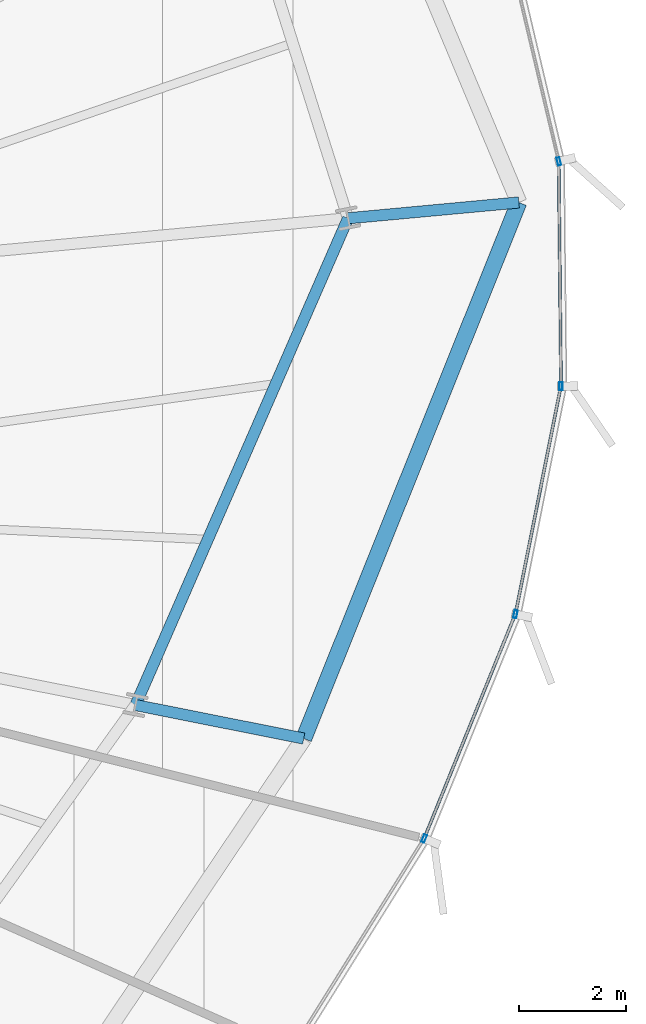
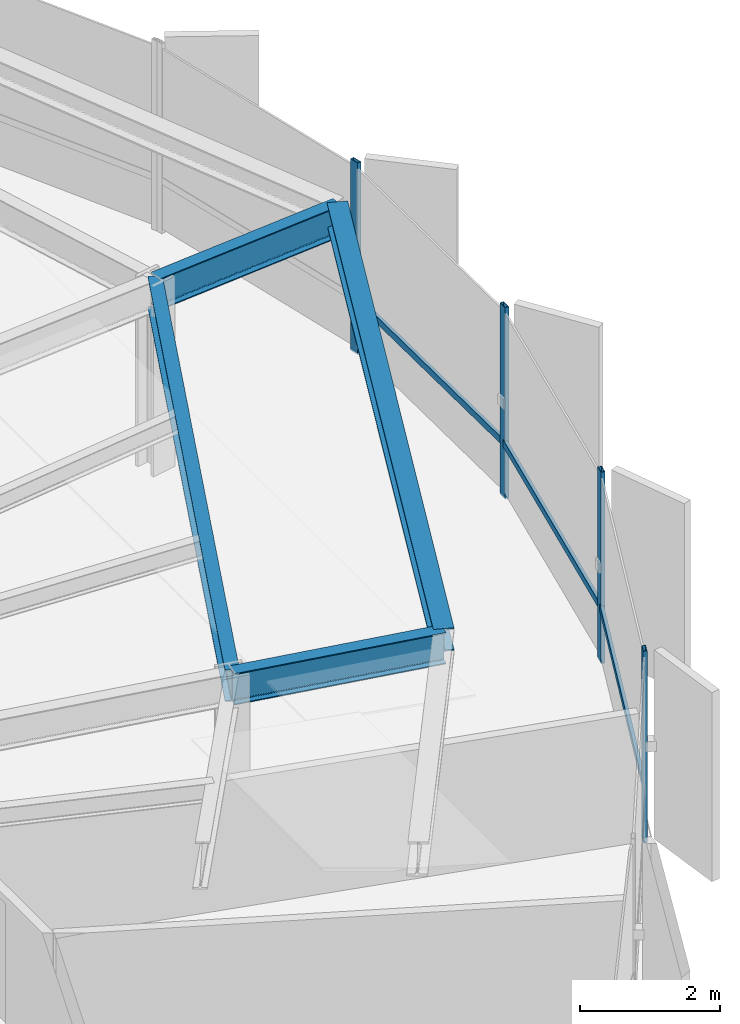
# One storey, part 16 of 33: 7 members, 4 beams, 1 element without a shape of its own.
"""IFC4 building model written with IfcOpenShell, lengths in metres."""

from ifc_helpers import new_model, si_unit, direction, frame, origin, origin_2d, place, context, subcontext, project, spatial, hollow_rectangle, i_section, extrude, source, transform, mapped, material, layer, layer_set, material_profile, profile_set, type_object, element, aggregate, save


model = new_model("IFC4")

# Units and contexts
model_context = context("Model", 3, precision=1e-05, world=origin(), true_north=direction((0.0, 1.0)))
body_context = subcontext(model_context, "Body", "Model", "MODEL_VIEW")
ifc_project = project(units=[si_unit("LENGTHUNIT", "METRE"), si_unit("AREAUNIT", "SQUARE_METRE"), si_unit("VOLUMEUNIT", "CUBIC_METRE"), si_unit("PLANEANGLEUNIT", "RADIAN"), si_unit("MASSUNIT", "GRAM", prefix="KILO"), si_unit("THERMODYNAMICTEMPERATUREUNIT", "KELVIN")], contexts=[model_context])

# Site, building, storey
site_placement = place(None, origin())
site = spatial("IfcSite", under=ifc_project, at=site_placement, CompositionType="ELEMENT")
building_placement = place(site_placement, origin())
building = spatial("IfcBuilding", under=site, at=building_placement, Name="Kethvar Cultural Tower", CompositionType="ELEMENT")
storey_placement = place(building_placement, frame((0.0, 0.0, 114.39990234375)))
storey = spatial("IfcBuildingStorey", under=building, at=storey_placement, Name="L28", CompositionType="ELEMENT", Elevation=114.39990234375)

# Beams
ifc_material_1 = material(Name="Steel S355J2", Category="steel")
ifc_material_profile_1 = material_profile(ifc_material_1, i_section(OverallWidth=0.2099609375, OverallDepth=0.550048828125, WebThickness=0.010986328125, FlangeThickness=0.01708984375, FilletRadius=0.02392578125, at=origin_2d()), Name="Steel S355J2 — IPE550")
ifc_profile_set_1 = profile_set([ifc_material_profile_1], Name="Steel S355J2 — IPE550")
beam_type_1 = type_object("IfcBeamType", Name="BM-IPE550", PredefinedType="BEAM", material=ifc_profile_set_1)
shared_shape_1 = source(origin(), body_context, "Body", "SweptSolid", [
    extrude(i_section(OverallWidth=0.2099609375, OverallDepth=0.550048828125, WebThickness=0.010986328125, FlangeThickness=0.01708984375, FilletRadius=0.02392578125, at=origin_2d()), origin(), (0.0, 0.0, 1.0), 3.199951171875),
])
for number, where, z_axis, x_axis, name in (
    (1, (71.6025390625, 32.7333984375, 3.072998046875), (0.995729641608, 0.092317283453, 0.0), (-0.092317283453, 0.995729641608, 0.0), "L28 Perimeter Cantilever Beam RC-01"),
    (2, (67.638671875, 23.65478515625, 3.072998046875), (0.980785550224, -0.195088965533, 0.0), (0.195088965533, 0.980785550224, 0.0), "L28 Perimeter Cantilever Beam RC-16"),
):
    element("IfcBeam", number, at=place(storey_placement, frame(where, z_axis=z_axis, x_axis=x_axis)), inside=storey, type_object=beam_type_1, Name=name, PredefinedType="BEAM", context=body_context, shape_type="MappedRepresentation", body=[
        mapped(shared_shape_1, transform((0.0, 0.0, 0.0), scale=1.0)),
    ])
shared_shape_2 = source(origin(), body_context, "Body", "SweptSolid", [
    extrude(i_section(OverallWidth=0.2099609375, OverallDepth=0.550048828125, WebThickness=0.010986328125, FlangeThickness=0.01708984375, FilletRadius=0.02392578125, at=origin_2d()), origin(), (0.0, 0.0, 1.0), 9.90625),
])
beam_1_placement = place(storey_placement, frame((67.638671875, 23.65478515625, 3.072998046875), z_axis=(0.400138679026, 0.916454602011, 0.0), x_axis=(-0.916454602011, 0.400138679026, 0.0)))
element("IfcBeam", 3, at=beam_1_placement, inside=storey, type_object=beam_type_1, Name="L28 Column Ring Tie Beam CR-16", PredefinedType="BEAM", context=body_context, shape_type="MappedRepresentation", body=[
    mapped(shared_shape_2, transform((0.0, 0.0, 0.0), scale=1.0)),
])
ifc_material_profile_2 = material_profile(ifc_material_1, i_section(OverallWidth=0.300048828125, OverallDepth=0.39990234375, WebThickness=0.013427734375, FlangeThickness=0.02392578125, FilletRadius=0.027099609375, at=origin_2d()), Name="Steel S355J2 — HEB400")
ifc_profile_set_2 = profile_set([ifc_material_profile_2], Name="Steel S355J2 — HEB400")
beam_type_2 = type_object("IfcBeamType", Name="BM-SP400", PredefinedType="SPANDREL", material=ifc_profile_set_2)
shared_shape_3 = source(origin(), body_context, "Body", "SweptSolid", [
    extrude(i_section(OverallWidth=0.300048828125, OverallDepth=0.39990234375, WebThickness=0.013427734375, FlangeThickness=0.02392578125, FilletRadius=0.027099609375, at=origin_2d()), origin(), (0.0, 0.0, 1.0), 10.773193359375),
])
beam_2_placement = place(storey_placement, frame((70.777099609375, 23.030517578125, 3.148193359375), z_axis=(0.372382905959, 0.928079183771, 0.0), x_axis=(-0.928079183771, 0.372382905959, 0.0)))
element("IfcBeam", 4, at=beam_2_placement, inside=storey, type_object=beam_type_2, Name="L28 Perimeter Spandrel Beam SP-16", PredefinedType="SPANDREL", context=body_context, shape_type="MappedRepresentation", body=[
    mapped(shared_shape_3, transform((0.0, 0.0, 0.0), scale=1.0)),
])

# Curtain wall, members
ifc_material_2 = material(Name="Aluminium 6063-T6", Category="aluminium")
ifc_layer = layer(ifc_material_2, 0.179931640625, Name="Aluminium 6063-T6", Category="aluminium")
ifc_layer_set = layer_set([ifc_layer], Name="Aluminium 6063-T6 (180 mm)")
curtain_wall_type = type_object("IfcCurtainWallType", Name="CW-SYS-03-Z2", PredefinedType="NOTDEFINED", material=ifc_layer_set)
curtain_wall_placement = place(storey_placement, origin())
curtain_wall = element("IfcCurtainWall", 5, at=curtain_wall_placement, inside=storey, type_object=curtain_wall_type, Name="L28 Curtain Wall Run 06", PredefinedType="NOTDEFINED")
ifc_material_profile_3 = material_profile(ifc_material_2, hollow_rectangle(XDim=0.06005859375, YDim=0.14990234375, WallThickness=0.0048828125, at=origin_2d()), Name="Aluminium 6063-T6 — RHS150x60x5")
ifc_profile_set_3 = profile_set([ifc_material_profile_3], Name="Aluminium 6063-T6 — RHS150x60x5")
member_type_1 = type_object("IfcMemberType", Name="CW-SYS-03-Z2-MUL", PredefinedType="MULLION", material=ifc_profile_set_3)
shared_shape_4 = source(origin(), body_context, "Body", "SweptSolid", [
    extrude(hollow_rectangle(XDim=0.06005859375, YDim=0.14990234375, WallThickness=0.0048828125, at=origin_2d()), origin(), (0.0, 0.0, 1.0), 3.35009765625),
])
member_1_placement = place(storey_placement, frame((73.022216796875, 21.16552734375, 0.0), z_axis=(0.0, 0.0, 1.0), x_axis=(-0.926410390813, 0.376515322123, 0.0)))
member_1 = element("IfcMember", 6, at=member_1_placement, type_object=member_type_1, Name="CW-L28-R06 Mullion 3", PredefinedType="MULLION", context=body_context, shape_type="MappedRepresentation", body=[
    mapped(shared_shape_4, transform((0.0, 0.0, 0.0), scale=1.0)),
])
member_2_placement = place(storey_placement, frame((74.724609375, 25.348876953125, 0.0), z_axis=(0.0, 0.0, 1.0), x_axis=(-0.980700062831, 0.195518251741, 0.0)))
member_2 = element("IfcMember", 7, at=member_2_placement, type_object=member_type_1, Name="CW-L28-R06 Mullion 4", PredefinedType="MULLION", context=body_context, shape_type="MappedRepresentation", body=[
    mapped(shared_shape_4, transform((0.0, 0.0, 0.0), scale=1.0)),
])
member_3_placement = place(storey_placement, frame((75.575439453125, 29.603271484375, 0.0), z_axis=(0.0, 0.0, 1.0), x_axis=(-0.99994535198, -0.010454331779, 0.0)))
member_3 = element("IfcMember", 8, at=member_3_placement, type_object=member_type_1, Name="CW-L28-R06 Mullion 5", PredefinedType="MULLION", context=body_context, shape_type="MappedRepresentation", body=[
    mapped(shared_shape_4, transform((0.0, 0.0, 0.0), scale=1.0)),
])
member_4_placement = place(storey_placement, frame((75.534423828125, 33.794189453125, 0.0), z_axis=(0.0, 0.0, 1.0), x_axis=(-0.973202958193, -0.229947824874, 0.0)))
member_4 = element("IfcMember", 9, at=member_4_placement, type_object=member_type_1, Name="CW-L28-R06 Mullion 6", PredefinedType="MULLION", context=body_context, shape_type="MappedRepresentation", body=[
    mapped(shared_shape_4, transform((0.0, 0.0, 0.0), scale=1.0)),
])
ifc_material_profile_4 = material_profile(ifc_material_2, hollow_rectangle(XDim=0.054931640625, YDim=0.1201171875, WallThickness=0.00390625, at=origin_2d()), Name="Aluminium 6063-T6 — RHS120x55x4")
ifc_profile_set_4 = profile_set([ifc_material_profile_4], Name="Aluminium 6063-T6 — RHS120x55x4")
member_type_2 = type_object("IfcMemberType", Name="CW-SYS-03-Z2-TRN", PredefinedType="USERDEFINED", material=ifc_profile_set_4)
shared_shape_5 = source(origin(), body_context, "Body", "SweptSolid", [
    extrude(hollow_rectangle(XDim=0.054931640625, YDim=0.1201171875, WallThickness=0.00390625, at=origin_2d()), origin(), (0.0, 0.0, 1.0), 4.45166015625),
])
member_5_placement = place(storey_placement, frame((73.03857421875, 21.20556640625, 0.9501953125), z_axis=(0.37650061387, 0.926416368463, 0.0), x_axis=(-0.926416368463, 0.37650061387, 0.0)))
member_5 = element("IfcMember", 10, at=member_5_placement, type_object=member_type_2, Name="CW-L28-R06 Transom 3", ObjectType="TRANSOM", PredefinedType="USERDEFINED", context=body_context, shape_type="MappedRepresentation", body=[
    mapped(shared_shape_5, transform((0.0, 0.0, 0.0), scale=1.0)),
])
shared_shape_6 = source(origin(), body_context, "Body", "SweptSolid", [
    extrude(hollow_rectangle(XDim=0.054931640625, YDim=0.1201171875, WallThickness=0.00390625, at=origin_2d()), origin(), (0.0, 0.0, 1.0), 4.275634765625),
])
member_6_placement = place(storey_placement, frame((74.733154296875, 25.391357421875, 0.9501953125), z_axis=(0.195512150226, 0.980701279246, 0.0), x_axis=(-0.980701279246, 0.195512150226, 0.0)))
member_6 = element("IfcMember", 11, at=member_6_placement, type_object=member_type_2, Name="CW-L28-R06 Transom 4", ObjectType="TRANSOM", PredefinedType="USERDEFINED", context=body_context, shape_type="MappedRepresentation", body=[
    mapped(shared_shape_6, transform((0.0, 0.0, 0.0), scale=1.0)),
])
shared_shape_7 = source(origin(), body_context, "Body", "SweptSolid", [
    extrude(hollow_rectangle(XDim=0.054931640625, YDim=0.1201171875, WallThickness=0.00390625, at=origin_2d()), origin(), (0.0, 0.0, 1.0), 4.1298828125),
])
member_7_placement = place(storey_placement, frame((75.574951171875, 29.646484375, 0.9501953125), z_axis=(-0.010463512285, 0.999945255957, 0.0), x_axis=(-0.999945255957, -0.010463512285, 0.0)))
member_7 = element("IfcMember", 12, at=member_7_placement, type_object=member_type_2, Name="CW-L28-R06 Transom 5", ObjectType="TRANSOM", PredefinedType="USERDEFINED", context=body_context, shape_type="MappedRepresentation", body=[
    mapped(shared_shape_7, transform((0.0, 0.0, 0.0), scale=1.0)),
])
aggregate(curtain_wall, [member_1, member_2, member_3, member_4, member_5, member_6, member_7])

save(model, "model.ifc")
